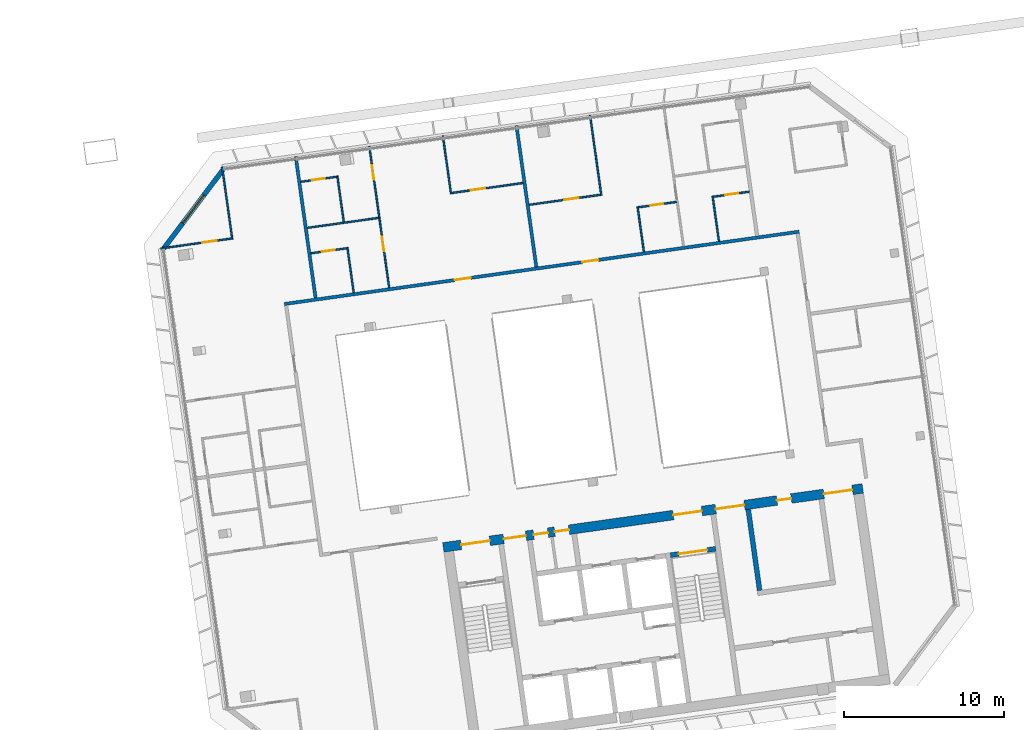
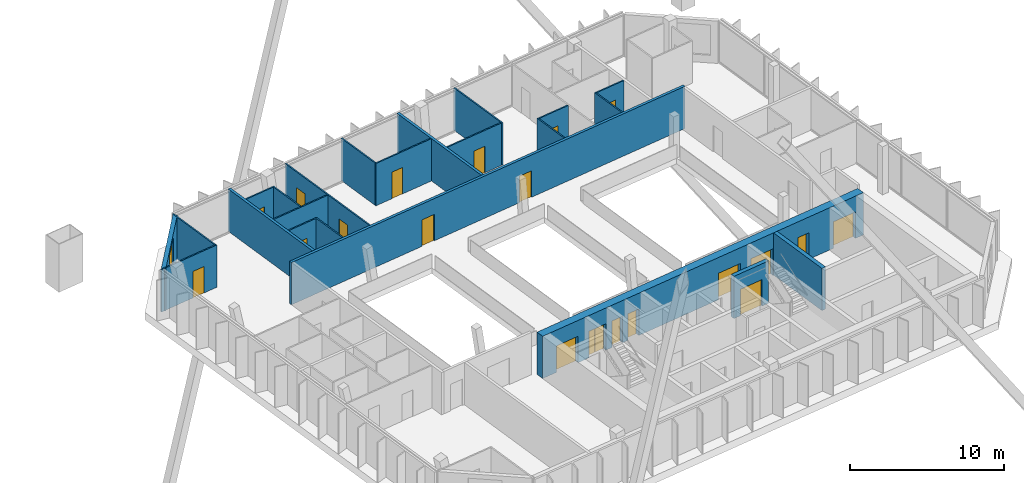
# One storey, part 24 of 28: 23 walls, 20 doors, 1 window, 21 openings.
"""IFC4 building model written with IfcOpenShell, lengths in metres."""

from ifc_helpers import new_model, si_unit, direction, frame, frame_2d, origin, place, context, subcontext, project, spatial, rectangle, extrude, material, layer, layer_set, type_object, element, fill, save


model = new_model("IFC4")

# Units and contexts
model_context = context("Model", 3, precision=1e-05, world=origin(), true_north=direction((0.0, 1.0)))
body_context = subcontext(model_context, "Body", "Model", "MODEL_VIEW")
ifc_project = project(units=[si_unit("LENGTHUNIT", "METRE"), si_unit("AREAUNIT", "SQUARE_METRE"), si_unit("VOLUMEUNIT", "CUBIC_METRE"), si_unit("PLANEANGLEUNIT", "RADIAN"), si_unit("MASSUNIT", "GRAM", prefix="KILO")], contexts=[model_context])

# Site, building, storey
site_placement = place(None, origin())
site = spatial("IfcSite", under=ifc_project, at=site_placement, CompositionType="ELEMENT")
building_placement = place(site_placement, origin())
building = spatial("IfcBuilding", under=site, at=building_placement, Name="Mirante Cascada Hotel Towers", CompositionType="ELEMENT")
storey_placement = place(building_placement, frame((0.0, 0.0, 243.2)))
storey = spatial("IfcBuildingStorey", under=building, at=storey_placement, Name="L58", CompositionType="ELEMENT", Elevation=243.2)

# Wall, openings, doors
ifc_material_1 = material(Name="Fire-rated plasterboard on metal studs")
ifc_layer_1 = layer(ifc_material_1, 0.2)
ifc_layer_set_1 = layer_set([ifc_layer_1], Name="Compartment wall 200 EI 120")
wall_type_1 = type_object("IfcWallType", Name="Compartment wall 200 EI 120", PredefinedType="PARTITIONING", material=ifc_layer_set_1)
wall_1_placement = place(storey_placement, frame((57.8212, 12.0083, 0.0), z_axis=(0.0, 0.0, 1.0), x_axis=(-0.9902681, -0.1391728, 0.0)))
wall_1 = element("IfcWall", 1, at=wall_1_placement, inside=storey, type_object=wall_type_1, Name="Wall 2-L58-14", PredefinedType="PARTITIONING", context=body_context, shape_type="SweptSolid", body=[
    extrude(rectangle(XDim=32.4, YDim=0.2, at=frame_2d((16.2, 0.0))), origin(), (0.0, 0.0, 1.0), 3.35),
])
opening_1_placement = place(wall_1_placement, frame((20.6562, 0.0, 0.0)))
opening_1 = element("IfcOpeningElement", 2, at=opening_1_placement, cuts=wall_1, Name="Opening D2-L58-09", PredefinedType="OPENING", context=body_context, shape_type="SweptSolid", body=[
    extrude(rectangle(XDim=1.0, YDim=2.1, at=frame_2d((0.5, 1.05))), frame((0.0, 0.1, 0.0), z_axis=(0.0, -1.0, 0.0), x_axis=(1.0, 0.0, 0.0)), (0.0, 0.0, 1.0), 0.2),
])
opening_2_placement = place(wall_1_placement, frame((12.64, 0.0, 0.0)))
opening_2 = element("IfcOpeningElement", 3, at=opening_2_placement, cuts=wall_1, Name="Opening D2-L58-10", PredefinedType="OPENING", context=body_context, shape_type="SweptSolid", body=[
    extrude(rectangle(XDim=1.0, YDim=2.1, at=frame_2d((0.5, 1.05))), frame((0.0, 0.1, 0.0), z_axis=(0.0, -1.0, 0.0), x_axis=(1.0, 0.0, 0.0)), (0.0, 0.0, 1.0), 0.2),
])
ifc_material_2 = material(Name="Fire-rated timber door leaf", Category="wood")
door_type_1 = type_object("IfcDoorType", Name="Entrance door DG1 1000x2100 EI 60", OperationType="SINGLE_SWING_LEFT", PredefinedType="DOOR", material=ifc_material_2)
door_1_placement = place(opening_1_placement, frame((1.0, 0.0, 0.0), z_axis=(0.0, 0.0, 1.0), x_axis=(-1.0, 0.0, 0.0)))
door_1 = element("IfcDoor", 4, at=door_1_placement, inside=storey, type_object=door_type_1, Name="Door D2-L58-09", OperationType="SINGLE_SWING_RIGHT", OverallHeight=2.1, OverallWidth=1.0, PredefinedType="DOOR", context=body_context, shape_type="SweptSolid", body=[
    extrude(rectangle(XDim=1.0, YDim=2.1, at=frame_2d((0.5, 1.05))), frame((0.0, 0.025, 0.0), z_axis=(0.0, -1.0, 0.0), x_axis=(1.0, 0.0, 0.0)), (0.0, 0.0, 1.0), 0.05),
])
fill(opening_1, door_1)
door_2_placement = place(opening_2_placement, frame((1.0, 0.0, 0.0), z_axis=(0.0, 0.0, 1.0), x_axis=(-1.0, 0.0, 0.0)))
door_2 = element("IfcDoor", 5, at=door_2_placement, inside=storey, type_object=door_type_1, Name="Door D2-L58-10", OperationType="SINGLE_SWING_RIGHT", OverallHeight=2.1, OverallWidth=1.0, PredefinedType="DOOR", context=body_context, shape_type="SweptSolid", body=[
    extrude(rectangle(XDim=1.0, YDim=2.1, at=frame_2d((0.5, 1.05))), frame((0.0, 0.025, 0.0), z_axis=(0.0, -1.0, 0.0), x_axis=(1.0, 0.0, 0.0)), (0.0, 0.0, 1.0), 0.05),
])
fill(opening_2, door_2)

# Walls
for number, where, z_axis, x_axis, name in (
    (6, (26.4459, 16.6872, 0.0), (0.0, 0.0, 1.0), (0.1391684, -0.9902687, 0.0), "Wall 2-L58-34"),
    (7, (41.4431, 9.8075, 0.0), (0.0, 0.0, 1.0), (-0.1391794, 0.9902672, 0.0), "Wall 2-L58-39"),
):
    element("IfcWall", number, at=place(storey_placement, frame(where, z_axis=z_axis, x_axis=x_axis)), inside=storey, type_object=wall_type_1, Name=name, PredefinedType="PARTITIONING", context=body_context, shape_type="SweptSolid", body=[
        extrude(rectangle(XDim=8.9, YDim=0.2, at=frame_2d((4.45, 0.0))), origin(), (0.0, 0.0, 1.0), 3.35),
    ])

# Wall, opening, door
ifc_material_3 = material(Name="Plasterboard on metal studs")
ifc_layer_2 = layer(ifc_material_3, 0.1)
ifc_layer_set_2 = layer_set([ifc_layer_2], Name="Partition 100")
wall_type_2 = type_object("IfcWallType", Name="Partition 100", PredefinedType="PARTITIONING", material=ifc_layer_set_2)
wall_2_placement = place(storey_placement, frame((27.3938, 10.6605, 0.0), z_axis=(0.0, 0.0, 1.0), x_axis=(0.9902705, 0.1391561, 0.0)))
wall_2 = element("IfcWall", 8, at=wall_2_placement, inside=storey, type_object=wall_type_2, Name="Wall 2-L58-15", PredefinedType="PARTITIONING", context=body_context, shape_type="SweptSolid", body=[
    extrude(rectangle(XDim=2.25, YDim=0.1, at=frame_2d((1.125, 0.0))), origin(), (0.0, 0.0, 1.0), 3.35),
])
opening_3_placement = place(wall_2_placement, frame((0.7, 0.0, 0.0)))
opening_3 = element("IfcOpeningElement", 9, at=opening_3_placement, cuts=wall_2, Name="Opening D2-L58-11", PredefinedType="OPENING", context=body_context, shape_type="SweptSolid", body=[
    extrude(rectangle(XDim=0.8, YDim=2.1, at=frame_2d((0.4, 1.05))), frame((0.0, 0.05, 0.0), z_axis=(0.0, -1.0, 0.0), x_axis=(1.0, 0.0, 0.0)), (0.0, 0.0, 1.0), 0.1),
])
ifc_material_4 = material(Name="Timber door leaf", Category="wood")
door_type_2 = type_object("IfcDoorType", Name="Bathroom door DG4 800x2100", OperationType="SINGLE_SWING_LEFT", PredefinedType="DOOR", material=ifc_material_4)
door_3_placement = place(opening_3_placement, frame((0.8, 0.0, 0.0), z_axis=(0.0, 0.0, 1.0), x_axis=(-1.0, 0.0, 0.0)))
door_3 = element("IfcDoor", 10, at=door_3_placement, inside=storey, type_object=door_type_2, Name="Door D2-L58-11", OperationType="SINGLE_SWING_RIGHT", OverallHeight=2.1, OverallWidth=0.8, PredefinedType="DOOR", context=body_context, shape_type="SweptSolid", body=[
    extrude(rectangle(XDim=0.8, YDim=2.1, at=frame_2d((0.4, 1.05))), frame((0.0, 0.025, 0.0), z_axis=(0.0, -1.0, 0.0), x_axis=(1.0, 0.0, 0.0)), (0.0, 0.0, 1.0), 0.05),
])
fill(opening_3, door_3)

wall_3_placement = place(storey_placement, frame((50.1762, 13.8624, 0.0), z_axis=(0.0, 0.0, 1.0), x_axis=(-0.9902671, -0.1391799, 0.0)))
wall_3 = element("IfcWall", 11, at=wall_3_placement, inside=storey, type_object=wall_type_2, Name="Wall 2-L58-16", PredefinedType="PARTITIONING", context=body_context, shape_type="SweptSolid", body=[
    extrude(rectangle(XDim=2.3926, YDim=0.1, at=frame_2d((1.1963, 0.0))), origin(), (0.0, 0.0, 1.0), 3.35),
])
opening_4_placement = place(wall_3_placement, frame((0.8426, 0.0, 0.0)))
opening_4 = element("IfcOpeningElement", 12, at=opening_4_placement, cuts=wall_3, Name="Opening D2-L58-12", PredefinedType="OPENING", context=body_context, shape_type="SweptSolid", body=[
    extrude(rectangle(XDim=0.8, YDim=2.1, at=frame_2d((0.4, 1.05))), frame((0.0, 0.05, 0.0), z_axis=(0.0, -1.0, 0.0), x_axis=(1.0, 0.0, 0.0)), (0.0, 0.0, 1.0), 0.1),
])
door_4_placement = place(opening_4_placement, frame((0.8, 0.0, 0.0), z_axis=(0.0, 0.0, 1.0), x_axis=(-1.0, 0.0, 0.0)))
door_4 = element("IfcDoor", 13, at=door_4_placement, inside=storey, type_object=door_type_2, Name="Door D2-L58-12", OperationType="SINGLE_SWING_RIGHT", OverallHeight=2.1, OverallWidth=0.8, PredefinedType="DOOR", context=body_context, shape_type="SweptSolid", body=[
    extrude(rectangle(XDim=0.8, YDim=2.1, at=frame_2d((0.4, 1.05))), frame((0.0, 0.025, 0.0), z_axis=(0.0, -1.0, 0.0), x_axis=(1.0, 0.0, 0.0)), (0.0, 0.0, 1.0), 0.05),
])
fill(opening_4, door_4)

wall_4_placement = place(storey_placement, frame((52.4848, 14.1868, 0.0), z_axis=(0.0, 0.0, 1.0), x_axis=(0.9902705, 0.1391561, 0.0)))
wall_4 = element("IfcWall", 14, at=wall_4_placement, inside=storey, type_object=wall_type_2, Name="Wall 2-L58-17", PredefinedType="PARTITIONING", context=body_context, shape_type="SweptSolid", body=[
    extrude(rectangle(XDim=2.25, YDim=0.1, at=frame_2d((1.125, 0.0))), origin(), (0.0, 0.0, 1.0), 3.35),
])
opening_5_placement = place(wall_4_placement, frame((0.75, 0.0, 0.0)))
opening_5 = element("IfcOpeningElement", 15, at=opening_5_placement, cuts=wall_4, Name="Opening D2-L58-13", PredefinedType="OPENING", context=body_context, shape_type="SweptSolid", body=[
    extrude(rectangle(XDim=0.8, YDim=2.1, at=frame_2d((0.4, 1.05))), frame((0.0, 0.05, 0.0), z_axis=(0.0, -1.0, 0.0), x_axis=(1.0, 0.0, 0.0)), (0.0, 0.0, 1.0), 0.1),
])
door_5_placement = place(opening_5_placement, frame((0.8, 0.0, 0.0), z_axis=(0.0, 0.0, 1.0), x_axis=(-1.0, 0.0, 0.0)))
door_5 = element("IfcDoor", 16, at=door_5_placement, inside=storey, type_object=door_type_2, Name="Door D2-L58-13", OperationType="SINGLE_SWING_RIGHT", OverallHeight=2.1, OverallWidth=0.8, PredefinedType="DOOR", context=body_context, shape_type="SweptSolid", body=[
    extrude(rectangle(XDim=0.8, YDim=2.1, at=frame_2d((0.4, 1.05))), frame((0.0, 0.025, 0.0), z_axis=(0.0, -1.0, 0.0), x_axis=(1.0, 0.0, 0.0)), (0.0, 0.0, 1.0), 0.05),
])
fill(opening_5, door_5)

wall_5_placement = place(storey_placement, frame((40.9993, 13.6834, 0.0), z_axis=(0.0, 0.0, 1.0), x_axis=(0.990267, 0.139181, 0.0)))
wall_5 = element("IfcWall", 17, at=wall_5_placement, inside=storey, type_object=wall_type_2, Name="Wall 2-L58-19", PredefinedType="PARTITIONING", context=body_context, shape_type="SweptSolid", body=[
    extrude(rectangle(XDim=4.4812, YDim=0.1, at=frame_2d((2.2406, 0.0))), origin(), (0.0, 0.0, 1.0), 3.35),
])
opening_6_placement = place(wall_5_placement, frame((2.2, 0.0, 0.0)))
opening_6 = element("IfcOpeningElement", 18, at=opening_6_placement, cuts=wall_5, Name="Opening D2-L58-14", PredefinedType="OPENING", context=body_context, shape_type="SweptSolid", body=[
    extrude(rectangle(XDim=0.9, YDim=2.1, at=frame_2d((0.45, 1.05))), frame((0.0, 0.05, 0.0), z_axis=(0.0, -1.0, 0.0), x_axis=(1.0, 0.0, 0.0)), (0.0, 0.0, 1.0), 0.1),
])
ifc_material_5 = material(Name="Timber door leaf", Category="wood")
door_type_3 = type_object("IfcDoorType", Name="Room door DG3 900x2100", OperationType="SINGLE_SWING_LEFT", PredefinedType="DOOR", material=ifc_material_5)
door_6_placement = place(opening_6_placement, origin())
door_6 = element("IfcDoor", 19, at=door_6_placement, inside=storey, type_object=door_type_3, Name="Door D2-L58-14", OperationType="SINGLE_SWING_LEFT", OverallHeight=2.1, OverallWidth=0.9, PredefinedType="DOOR", context=body_context, shape_type="SweptSolid", body=[
    extrude(rectangle(XDim=0.9, YDim=2.1, at=frame_2d((0.45, 1.05))), frame((0.0, 0.025, 0.0), z_axis=(0.0, -1.0, 0.0), x_axis=(1.0, 0.0, 0.0)), (0.0, 0.0, 1.0), 0.05),
])
fill(opening_6, door_6)

wall_6_placement = place(storey_placement, frame((22.5354, 11.5934, 0.0), z_axis=(0.0, 0.0, 1.0), x_axis=(-0.9902691, -0.1391656, 0.0)))
wall_6 = element("IfcWall", 20, at=wall_6_placement, inside=storey, type_object=wall_type_2, Name="Wall 2-L58-20", PredefinedType="PARTITIONING", context=body_context, shape_type="SweptSolid", body=[
    extrude(rectangle(XDim=4.55, YDim=0.1, at=frame_2d((2.275, 0.0))), origin(), (0.0, 0.0, 1.0), 3.35),
])
opening_7_placement = place(wall_6_placement, frame((1.0399, 0.0, 0.0)))
opening_7 = element("IfcOpeningElement", 21, at=opening_7_placement, cuts=wall_6, Name="Opening D2-L58-15", PredefinedType="OPENING", context=body_context, shape_type="SweptSolid", body=[
    extrude(rectangle(XDim=0.9, YDim=2.1, at=frame_2d((0.45, 1.05))), frame((0.0, 0.05, 0.0), z_axis=(0.0, -1.0, 0.0), x_axis=(1.0, 0.0, 0.0)), (0.0, 0.0, 1.0), 0.1),
])
door_7_placement = place(opening_7_placement, origin())
door_7 = element("IfcDoor", 22, at=door_7_placement, inside=storey, type_object=door_type_3, Name="Door D2-L58-15", OperationType="SINGLE_SWING_LEFT", OverallHeight=2.1, OverallWidth=0.9, PredefinedType="DOOR", context=body_context, shape_type="SweptSolid", body=[
    extrude(rectangle(XDim=0.9, YDim=2.1, at=frame_2d((0.45, 1.05))), frame((0.0, 0.025, 0.0), z_axis=(0.0, -1.0, 0.0), x_axis=(1.0, 0.0, 0.0)), (0.0, 0.0, 1.0), 0.05),
])
fill(opening_7, door_7)

# Wall
wall_7_placement = place(storey_placement, frame((27.1712, 12.2449, 0.0), z_axis=(0.0, 0.0, 1.0), x_axis=(0.990267, 0.139181, 0.0)))
element("IfcWall", 23, at=wall_7_placement, inside=storey, type_object=wall_type_2, Name="Wall 2-L58-21", PredefinedType="PARTITIONING", context=body_context, shape_type="SweptSolid", body=[
    extrude(rectangle(XDim=4.4812, YDim=0.1, at=frame_2d((2.2406, 0.0))), origin(), (0.0, 0.0, 1.0), 3.35),
])

# Wall, opening, door
wall_8_placement = place(storey_placement, frame((36.0697, 14.4044, 0.0), z_axis=(0.0, 0.0, 1.0), x_axis=(0.9902678, 0.1391749, 0.0)))
wall_8 = element("IfcWall", 24, at=wall_8_placement, inside=storey, type_object=wall_type_2, Name="Wall 2-L58-23", PredefinedType="PARTITIONING", context=body_context, shape_type="SweptSolid", body=[
    extrude(rectangle(XDim=4.5813, YDim=0.1, at=frame_2d((2.2906, 0.0))), origin(), (0.0, 0.0, 1.0), 3.35),
])
opening_8_placement = place(wall_8_placement, frame((1.3131, 0.0, 0.0)))
opening_8 = element("IfcOpeningElement", 25, at=opening_8_placement, cuts=wall_8, Name="Opening D2-L58-16", PredefinedType="OPENING", context=body_context, shape_type="SweptSolid", body=[
    extrude(rectangle(XDim=0.9, YDim=2.1, at=frame_2d((0.45, 1.05))), frame((0.0, 0.05, 0.0), z_axis=(0.0, -1.0, 0.0), x_axis=(1.0, 0.0, 0.0)), (0.0, 0.0, 1.0), 0.1),
])
door_8_placement = place(opening_8_placement, frame((0.9, 0.0, 0.0), z_axis=(0.0, 0.0, 1.0), x_axis=(-1.0, 0.0, 0.0)))
door_8 = element("IfcDoor", 26, at=door_8_placement, inside=storey, type_object=door_type_3, Name="Door D2-L58-16", OperationType="SINGLE_SWING_RIGHT", OverallHeight=2.1, OverallWidth=0.9, PredefinedType="DOOR", context=body_context, shape_type="SweptSolid", body=[
    extrude(rectangle(XDim=0.9, YDim=2.1, at=frame_2d((0.45, 1.05))), frame((0.0, 0.025, 0.0), z_axis=(0.0, -1.0, 0.0), x_axis=(1.0, 0.0, 0.0)), (0.0, 0.0, 1.0), 0.05),
])
fill(opening_8, door_8)

wall_9_placement = place(storey_placement, frame((26.7676, 15.1167, 0.0), z_axis=(0.0, 0.0, 1.0), x_axis=(0.9902705, 0.1391561, 0.0)))
wall_9 = element("IfcWall", 27, at=wall_9_placement, inside=storey, type_object=wall_type_2, Name="Wall 2-L58-25", PredefinedType="PARTITIONING", context=body_context, shape_type="SweptSolid", body=[
    extrude(rectangle(XDim=2.25, YDim=0.1, at=frame_2d((1.125, 0.0))), origin(), (0.0, 0.0, 1.0), 3.35),
])
opening_9_placement = place(wall_9_placement, frame((0.7, 0.0, 0.0)))
opening_9 = element("IfcOpeningElement", 28, at=opening_9_placement, cuts=wall_9, Name="Opening D2-L58-17", PredefinedType="OPENING", context=body_context, shape_type="SweptSolid", body=[
    extrude(rectangle(XDim=0.8, YDim=2.1, at=frame_2d((0.4, 1.05))), frame((0.0, 0.05, 0.0), z_axis=(0.0, -1.0, 0.0), x_axis=(1.0, 0.0, 0.0)), (0.0, 0.0, 1.0), 0.1),
])
door_9_placement = place(opening_9_placement, frame((0.8, 0.0, 0.0), z_axis=(0.0, 0.0, 1.0), x_axis=(-1.0, 0.0, 0.0)))
door_9 = element("IfcDoor", 29, at=door_9_placement, inside=storey, type_object=door_type_2, Name="Door D2-L58-17", OperationType="SINGLE_SWING_RIGHT", OverallHeight=2.1, OverallWidth=0.8, PredefinedType="DOOR", context=body_context, shape_type="SweptSolid", body=[
    extrude(rectangle(XDim=0.8, YDim=2.1, at=frame_2d((0.4, 1.05))), frame((0.0, 0.025, 0.0), z_axis=(0.0, -1.0, 0.0), x_axis=(1.0, 0.0, 0.0)), (0.0, 0.0, 1.0), 0.05),
])
fill(opening_9, door_9)

# Walls
wall_10_placement = place(storey_placement, frame((22.4789, 11.636, 0.0), z_axis=(0.0, 0.0, 1.0), x_axis=(-0.1391684, 0.9902687, 0.0)))
element("IfcWall", 30, at=wall_10_placement, inside=storey, type_object=wall_type_2, Name="Wall 2-L58-31", PredefinedType="PARTITIONING", context=body_context, shape_type="SweptSolid", body=[
    extrude(rectangle(XDim=4.45, YDim=0.1, at=frame_2d((2.225, 0.0))), origin(), (0.0, 0.0, 1.0), 3.35),
])
wall_11_placement = place(storey_placement, frame((30.0611, 8.2079, 0.0), z_axis=(0.0, 0.0, 1.0), x_axis=(-0.1391613, 0.9902697, 0.0)))
element("IfcWall", 31, at=wall_11_placement, inside=storey, type_object=wall_type_2, Name="Wall 2-L58-35", PredefinedType="PARTITIONING", context=body_context, shape_type="SweptSolid", body=[
    extrude(rectangle(XDim=2.8499, YDim=0.1, at=frame_2d((1.425, 0.0))), origin(), (0.0, 0.0, 1.0), 3.35),
])
wall_12_placement = place(storey_placement, frame((29.0382, 15.4863, 0.0), z_axis=(0.0, 0.0, 1.0), x_axis=(0.1391714, -0.9902683, 0.0)))
element("IfcWall", 32, at=wall_12_placement, inside=storey, type_object=wall_type_2, Name="Wall 2-L58-36", PredefinedType="PARTITIONING", context=body_context, shape_type="SweptSolid", body=[
    extrude(rectangle(XDim=2.9, YDim=0.1, at=frame_2d((1.45, 0.0))), origin(), (0.0, 0.0, 1.0), 3.35),
])

# Wall, openings, doors
wall_13_placement = place(storey_placement, frame((32.2707, 8.5184, 0.0), z_axis=(0.0, 0.0, 1.0), x_axis=(-0.1391684, 0.9902687, 0.0)))
wall_13 = element("IfcWall", 33, at=wall_13_placement, inside=storey, type_object=wall_type_2, Name="Wall 2-L58-37", PredefinedType="PARTITIONING", context=body_context, shape_type="SweptSolid", body=[
    extrude(rectangle(XDim=8.9, YDim=0.1, at=frame_2d((4.45, 0.0))), origin(), (0.0, 0.0, 1.0), 3.35),
])
opening_10_placement = place(wall_13_placement, frame((2.3, 0.0, 0.0)))
opening_10 = element("IfcOpeningElement", 34, at=opening_10_placement, cuts=wall_13, Name="Opening D2-L58-24", PredefinedType="OPENING", context=body_context, shape_type="SweptSolid", body=[
    extrude(rectangle(XDim=0.9, YDim=2.1, at=frame_2d((0.45, 1.05))), frame((0.0, 0.05, 0.0), z_axis=(0.0, -1.0, 0.0), x_axis=(1.0, 0.0, 0.0)), (0.0, 0.0, 1.0), 0.1),
])
opening_11_placement = place(wall_13_placement, frame((6.8, 0.0, 0.0)))
opening_11 = element("IfcOpeningElement", 35, at=opening_11_placement, cuts=wall_13, Name="Opening D2-L58-25", PredefinedType="OPENING", context=body_context, shape_type="SweptSolid", body=[
    extrude(rectangle(XDim=0.9, YDim=2.1, at=frame_2d((0.45, 1.05))), frame((0.0, 0.05, 0.0), z_axis=(0.0, -1.0, 0.0), x_axis=(1.0, 0.0, 0.0)), (0.0, 0.0, 1.0), 0.1),
])
door_10_placement = place(opening_10_placement, frame((0.9, 0.0, 0.0), z_axis=(0.0, 0.0, 1.0), x_axis=(-1.0, 0.0, 0.0)))
door_10 = element("IfcDoor", 36, at=door_10_placement, inside=storey, type_object=door_type_3, Name="Door D2-L58-24", OperationType="SINGLE_SWING_RIGHT", OverallHeight=2.1, OverallWidth=0.9, PredefinedType="DOOR", context=body_context, shape_type="SweptSolid", body=[
    extrude(rectangle(XDim=0.9, YDim=2.1, at=frame_2d((0.45, 1.05))), frame((0.0, 0.025, 0.0), z_axis=(0.0, -1.0, 0.0), x_axis=(1.0, 0.0, 0.0)), (0.0, 0.0, 1.0), 0.05),
])
fill(opening_10, door_10)
door_11_placement = place(opening_11_placement, frame((0.9, 0.0, 0.0), z_axis=(0.0, 0.0, 1.0), x_axis=(-1.0, 0.0, 0.0)))
door_11 = element("IfcDoor", 37, at=door_11_placement, inside=storey, type_object=door_type_3, Name="Door D2-L58-25", OperationType="SINGLE_SWING_RIGHT", OverallHeight=2.1, OverallWidth=0.9, PredefinedType="DOOR", context=body_context, shape_type="SweptSolid", body=[
    extrude(rectangle(XDim=0.9, YDim=2.1, at=frame_2d((0.45, 1.05))), frame((0.0, 0.025, 0.0), z_axis=(0.0, -1.0, 0.0), x_axis=(1.0, 0.0, 0.0)), (0.0, 0.0, 1.0), 0.05),
])
fill(opening_11, door_11)

# Walls
wall_14_placement = place(storey_placement, frame((35.6182, 17.9763, 0.0), z_axis=(0.0, 0.0, 1.0), x_axis=(0.1391849, -0.9902664, 0.0)))
element("IfcWall", 38, at=wall_14_placement, inside=storey, type_object=wall_type_2, Name="Wall 2-L58-38", PredefinedType="PARTITIONING", context=body_context, shape_type="SweptSolid", body=[
    extrude(rectangle(XDim=3.55, YDim=0.1, at=frame_2d((1.775, 0.0))), origin(), (0.0, 0.0, 1.0), 3.35),
])
wall_15_placement = place(storey_placement, frame((44.7906, 19.2654, 0.0), z_axis=(0.0, 0.0, 1.0), x_axis=(0.1391671, -0.9902689, 0.0)))
element("IfcWall", 39, at=wall_15_placement, inside=storey, type_object=wall_type_2, Name="Wall 2-L58-40", PredefinedType="PARTITIONING", context=body_context, shape_type="SweptSolid", body=[
    extrude(rectangle(XDim=5.05, YDim=0.1, at=frame_2d((2.525, 0.0))), origin(), (0.0, 0.0, 1.0), 3.35),
])
wall_16_placement = place(storey_placement, frame((48.1471, 10.7497, 0.0), z_axis=(0.0, 0.0, 1.0), x_axis=(-0.1391613, 0.9902697, 0.0)))
element("IfcWall", 40, at=wall_16_placement, inside=storey, type_object=wall_type_2, Name="Wall 2-L58-41", PredefinedType="PARTITIONING", context=body_context, shape_type="SweptSolid", body=[
    extrude(rectangle(XDim=2.8499, YDim=0.1, at=frame_2d((1.425, 0.0))), origin(), (0.0, 0.0, 1.0), 3.35),
])
wall_17_placement = place(storey_placement, frame((52.8249, 11.4071, 0.0), z_axis=(0.0, 0.0, 1.0), x_axis=(-0.1391564, 0.9902704, 0.0)))
element("IfcWall", 41, at=wall_17_placement, inside=storey, type_object=wall_type_2, Name="Wall 2-L58-43", PredefinedType="PARTITIONING", context=body_context, shape_type="SweptSolid", body=[
    extrude(rectangle(XDim=2.85, YDim=0.1, at=frame_2d((1.425, 0.0))), origin(), (0.0, 0.0, 1.0), 3.35),
])

# Wall, opening, window
ifc_material_6 = material(Name="Precast concrete C40/50", Category="concrete")
ifc_layer_3 = layer(ifc_material_6, 0.3)
ifc_layer_set_3 = layer_set([ifc_layer_3], Name="Precast concrete C40/50 cladding wall 300")
wall_type_3 = type_object("IfcWallType", Name="Precast concrete C40/50 cladding wall 300", PredefinedType="STANDARD", material=ifc_layer_set_3)
wall_18_placement = place(storey_placement, frame((21.9048, 15.8533, 0.0), z_axis=(0.0, 0.0, 1.0), x_axis=(-0.6018245, -0.7986283, 0.0)))
wall_18 = element("IfcWall", 42, at=wall_18_placement, inside=storey, type_object=wall_type_3, Name="Corner cladding wall T2 L58 front inner", PredefinedType="STANDARD", context=body_context, shape_type="SweptSolid", body=[
    extrude(rectangle(XDim=6.1157, YDim=0.3, at=frame_2d((3.0578, 0.0))), origin(), (0.0, 0.0, 1.0), 3.35),
])
opening_12_placement = place(wall_18_placement, frame((1.9578, 0.0, 0.6)))
opening_12 = element("IfcOpeningElement", 43, at=opening_12_placement, cuts=wall_18, Name="Opening W2-58-05", PredefinedType="OPENING", context=body_context, shape_type="SweptSolid", body=[
    extrude(rectangle(XDim=2.2, YDim=2.4, at=frame_2d((1.1, 1.2))), frame((0.0, 0.15, 0.0), z_axis=(0.0, -1.0, 0.0), x_axis=(1.0, 0.0, 0.0)), (0.0, 0.0, 1.0), 0.3),
])
ifc_material_7 = material(Name="Aluminium frame with clear double glazing", Category="aluminium")
window_type = type_object("IfcWindowType", Name="Corner suite window 2200x2400", PartitioningType="DOUBLE_PANEL_VERTICAL", PredefinedType="WINDOW", material=ifc_material_7)
window_placement = place(opening_12_placement, origin())
window = element("IfcWindow", 44, at=window_placement, inside=storey, type_object=window_type, Name="Window W2-58-05", OverallHeight=2.4, OverallWidth=2.2, PartitioningType="SINGLE_PANEL", PredefinedType="WINDOW", context=body_context, shape_type="SweptSolid", body=[
    extrude(rectangle(XDim=2.2, YDim=2.4, at=frame_2d((1.1, 1.2))), frame((0.0, 0.03, 0.0), z_axis=(0.0, -1.0, 0.0), x_axis=(1.0, 0.0, 0.0)), (0.0, 0.0, 1.0), 0.06),
])
fill(opening_12, window)

# Wall, opening, door
ifc_material_8 = material(Name="Concrete C50/60", Category="concrete")
ifc_layer_4 = layer(ifc_material_8, 0.3)
ifc_layer_set_4 = layer_set([ifc_layer_4], Name="RC core wall 300 C50/60")
wall_type_4 = type_object("IfcWallType", Name="RC core wall 300 C50/60", PredefinedType="SHEAR", material=ifc_layer_set_4)
wall_19_placement = place(storey_placement, frame((49.7992, -8.1544, 0.0), z_axis=(0.0, 0.0, 1.0), x_axis=(0.9902656, 0.1391909, 0.0)))
wall_19 = element("IfcWall", 45, at=wall_19_placement, inside=storey, type_object=wall_type_4, Name="Core wall T2:L58:9", PredefinedType="SHEAR", context=body_context, shape_type="SweptSolid", body=[
    extrude(rectangle(XDim=2.85, YDim=0.3, at=frame_2d((1.425, 0.0))), origin(), (0.0, 0.0, 1.0), 3.35),
])
opening_13_placement = place(wall_19_placement, frame((0.525, 0.0, 0.0)))
opening_13 = element("IfcOpeningElement", 46, at=opening_13_placement, cuts=wall_19, Name="Opening D2-58-C09", PredefinedType="OPENING", context=body_context, shape_type="SweptSolid", body=[
    extrude(rectangle(XDim=1.8, YDim=2.1, at=frame_2d((0.9, 1.05))), frame((0.0, 0.15, 0.0), z_axis=(0.0, -1.0, 0.0), x_axis=(1.0, 0.0, 0.0)), (0.0, 0.0, 1.0), 0.3),
])
ifc_material_9 = material(Name="Hollow metal fire door leaf")
door_type_4 = type_object("IfcDoorType", Name="Double fire door 1800x2100 FD60", OperationType="DOUBLE_DOOR_SINGLE_SWING", PredefinedType="DOOR", material=ifc_material_9)
door_12_placement = place(opening_13_placement, frame((1.8, 0.0, 0.0), z_axis=(0.0, 0.0, 1.0), x_axis=(-1.0, 0.0, 0.0)))
door_12 = element("IfcDoor", 47, at=door_12_placement, inside=storey, type_object=door_type_4, Name="Stair door T2 L58 9", OperationType="DOUBLE_DOOR_SINGLE_SWING", OverallHeight=2.1, OverallWidth=1.8, PredefinedType="DOOR", context=body_context, shape_type="SweptSolid", body=[
    extrude(rectangle(XDim=0.895, YDim=2.1, at=frame_2d((0.4475, 1.05))), frame((0.0, 0.025, 0.0), z_axis=(0.0, -1.0, 0.0), x_axis=(1.0, 0.0, 0.0)), (0.0, 0.0, 1.0), 0.05),
    extrude(rectangle(XDim=0.895, YDim=2.1, at=frame_2d((1.3525, 1.05))), frame((0.0, 0.025, 0.0), z_axis=(0.0, -1.0, 0.0), x_axis=(1.0, 0.0, 0.0)), (0.0, 0.0, 1.0), 0.05),
])
fill(opening_13, door_12)

# Wall
wall_20_placement = place(storey_placement, frame((55.3592, -10.352, 0.0), z_axis=(0.0, 0.0, 1.0), x_axis=(-0.1391755, 0.9902677, 0.0)))
element("IfcWall", 48, at=wall_20_placement, inside=storey, type_object=wall_type_4, Name="Core wall T2:L58:26", PredefinedType="SHEAR", context=body_context, shape_type="SweptSolid", body=[
    extrude(rectangle(XDim=5.1, YDim=0.3, at=frame_2d((2.55, 0.0))), origin(), (0.0, 0.0, 1.0), 3.35),
])

# Wall, openings, doors
ifc_material_10 = material(Name="Concrete C50/60", Category="concrete")
ifc_layer_5 = layer(ifc_material_10, 0.6)
ifc_layer_set_5 = layer_set([ifc_layer_5], Name="RC core wall 600 C50/60")
wall_type_5 = type_object("IfcWallType", Name="RC core wall 600 C50/60", PredefinedType="SHEAR", material=ifc_layer_set_5)
wall_21_placement = place(storey_placement, frame((35.644, -7.6697, 0.0), z_axis=(0.0, 0.0, 1.0), x_axis=(0.9902679, 0.1391741, 0.0)))
wall_21 = element("IfcWall", 49, at=wall_21_placement, inside=storey, type_object=wall_type_5, Name="Core wall T2:L58:2", PredefinedType="SHEAR", context=body_context, shape_type="SweptSolid", body=[
    extrude(rectangle(XDim=26.4, YDim=0.6, at=frame_2d((13.2, 0.0))), origin(), (0.0, 0.0, 1.0), 3.35),
])
opening_14_placement = place(wall_21_placement, frame((1.125, 0.0, 0.0)))
opening_14 = element("IfcOpeningElement", 50, at=opening_14_placement, cuts=wall_21, Name="Opening D2-58-C08", PredefinedType="OPENING", context=body_context, shape_type="SweptSolid", body=[
    extrude(rectangle(XDim=1.8, YDim=2.1, at=frame_2d((0.9, 1.05))), frame((0.0, 0.3, 0.0), z_axis=(0.0, -1.0, 0.0), x_axis=(1.0, 0.0, 0.0)), (0.0, 0.0, 1.0), 0.6),
])
opening_15_placement = place(wall_21_placement, frame((14.475, 0.0, 0.0)))
opening_15 = element("IfcOpeningElement", 51, at=opening_15_placement, cuts=wall_21, Name="Opening D2-58-C10", PredefinedType="OPENING", context=body_context, shape_type="SweptSolid", body=[
    extrude(rectangle(XDim=1.8, YDim=2.1, at=frame_2d((0.9, 1.05))), frame((0.0, 0.3, 0.0), z_axis=(0.0, -1.0, 0.0), x_axis=(1.0, 0.0, 0.0)), (0.0, 0.0, 1.0), 0.6),
])
opening_16_placement = place(wall_21_placement, frame((3.8, 0.0, 0.0)))
opening_16 = element("IfcOpeningElement", 52, at=opening_16_placement, cuts=wall_21, Name="Opening D2-58-C11", PredefinedType="OPENING", context=body_context, shape_type="SweptSolid", body=[
    extrude(rectangle(XDim=1.4, YDim=2.1, at=frame_2d((0.7, 1.05))), frame((0.0, 0.3, 0.0), z_axis=(0.0, -1.0, 0.0), x_axis=(1.0, 0.0, 0.0)), (0.0, 0.0, 1.0), 0.6),
])
opening_17_placement = place(wall_21_placement, frame((17.15, 0.0, 0.0)))
opening_17 = element("IfcOpeningElement", 53, at=opening_17_placement, cuts=wall_21, Name="Opening D2-58-C12", PredefinedType="OPENING", context=body_context, shape_type="SweptSolid", body=[
    extrude(rectangle(XDim=1.8, YDim=2.1, at=frame_2d((0.9, 1.05))), frame((0.0, 0.3, 0.0), z_axis=(0.0, -1.0, 0.0), x_axis=(1.0, 0.0, 0.0)), (0.0, 0.0, 1.0), 0.6),
])
opening_18_placement = place(wall_21_placement, frame((23.95, 0.0, 0.0)))
opening_18 = element("IfcOpeningElement", 54, at=opening_18_placement, cuts=wall_21, Name="Opening D2-58-C13", PredefinedType="OPENING", context=body_context, shape_type="SweptSolid", body=[
    extrude(rectangle(XDim=1.8, YDim=2.1, at=frame_2d((0.9, 1.05))), frame((0.0, 0.3, 0.0), z_axis=(0.0, -1.0, 0.0), x_axis=(1.0, 0.0, 0.0)), (0.0, 0.0, 1.0), 0.6),
])
opening_19_placement = place(wall_21_placement, frame((5.6875, 0.0, 0.0)))
opening_19 = element("IfcOpeningElement", 55, at=opening_19_placement, cuts=wall_21, Name="Opening D2-58-C16", PredefinedType="OPENING", context=body_context, shape_type="SweptSolid", body=[
    extrude(rectangle(XDim=0.9, YDim=2.1, at=frame_2d((0.45, 1.05))), frame((0.0, 0.3, 0.0), z_axis=(0.0, -1.0, 0.0), x_axis=(1.0, 0.0, 0.0)), (0.0, 0.0, 1.0), 0.6),
])
opening_20_placement = place(wall_21_placement, frame((7.0125, 0.0, 0.0)))
opening_20 = element("IfcOpeningElement", 56, at=opening_20_placement, cuts=wall_21, Name="Opening D2-58-C17", PredefinedType="OPENING", context=body_context, shape_type="SweptSolid", body=[
    extrude(rectangle(XDim=0.9, YDim=2.1, at=frame_2d((0.45, 1.05))), frame((0.0, 0.3, 0.0), z_axis=(0.0, -1.0, 0.0), x_axis=(1.0, 0.0, 0.0)), (0.0, 0.0, 1.0), 0.6),
])
opening_21_placement = place(wall_21_placement, frame((21.0, 0.0, 0.0)))
opening_21 = element("IfcOpeningElement", 57, at=opening_21_placement, cuts=wall_21, Name="Opening D2-58-C20", PredefinedType="OPENING", context=body_context, shape_type="SweptSolid", body=[
    extrude(rectangle(XDim=0.9, YDim=2.1, at=frame_2d((0.45, 1.05))), frame((0.0, 0.3, 0.0), z_axis=(0.0, -1.0, 0.0), x_axis=(1.0, 0.0, 0.0)), (0.0, 0.0, 1.0), 0.6),
])
ifc_material_11 = material(Name="Hollow metal fire door leaf")
door_type_5 = type_object("IfcDoorType", Name="Double fire door 1400x2100 FD60", OperationType="DOUBLE_DOOR_SINGLE_SWING", PredefinedType="DOOR", material=ifc_material_11)
door_13_placement = place(opening_16_placement, origin())
door_13 = element("IfcDoor", 58, at=door_13_placement, inside=storey, type_object=door_type_5, Name="Exit door to gallery T2 L58 11", OperationType="DOUBLE_DOOR_SINGLE_SWING", OverallHeight=2.1, OverallWidth=1.4, PredefinedType="DOOR", context=body_context, shape_type="SweptSolid", body=[
    extrude(rectangle(XDim=0.695, YDim=2.1, at=frame_2d((0.3475, 1.05))), frame((0.0, 0.025, 0.0), z_axis=(0.0, -1.0, 0.0), x_axis=(1.0, 0.0, 0.0)), (0.0, 0.0, 1.0), 0.05),
    extrude(rectangle(XDim=0.695, YDim=2.1, at=frame_2d((1.0525, 1.05))), frame((0.0, 0.025, 0.0), z_axis=(0.0, -1.0, 0.0), x_axis=(1.0, 0.0, 0.0)), (0.0, 0.0, 1.0), 0.05),
])
fill(opening_16, door_13)
door_14_placement = place(opening_14_placement, frame((1.8, 0.0, 0.0), z_axis=(0.0, 0.0, 1.0), x_axis=(-1.0, 0.0, 0.0)))
door_14 = element("IfcDoor", 59, at=door_14_placement, inside=storey, type_object=door_type_4, Name="Exit door to gallery T2 L58 8", OperationType="DOUBLE_DOOR_SINGLE_SWING", OverallHeight=2.1, OverallWidth=1.8, PredefinedType="DOOR", context=body_context, shape_type="SweptSolid", body=[
    extrude(rectangle(XDim=0.895, YDim=2.1, at=frame_2d((0.4475, 1.05))), frame((0.0, 0.025, 0.0), z_axis=(0.0, -1.0, 0.0), x_axis=(1.0, 0.0, 0.0)), (0.0, 0.0, 1.0), 0.05),
    extrude(rectangle(XDim=0.895, YDim=2.1, at=frame_2d((1.3525, 1.05))), frame((0.0, 0.025, 0.0), z_axis=(0.0, -1.0, 0.0), x_axis=(1.0, 0.0, 0.0)), (0.0, 0.0, 1.0), 0.05),
])
fill(opening_14, door_14)
door_15_placement = place(opening_15_placement, frame((1.8, 0.0, 0.0), z_axis=(0.0, 0.0, 1.0), x_axis=(-1.0, 0.0, 0.0)))
door_15 = element("IfcDoor", 60, at=door_15_placement, inside=storey, type_object=door_type_4, Name="Exit door to gallery T2 L58 10", OperationType="DOUBLE_DOOR_SINGLE_SWING", OverallHeight=2.1, OverallWidth=1.8, PredefinedType="DOOR", context=body_context, shape_type="SweptSolid", body=[
    extrude(rectangle(XDim=0.895, YDim=2.1, at=frame_2d((0.4475, 1.05))), frame((0.0, 0.025, 0.0), z_axis=(0.0, -1.0, 0.0), x_axis=(1.0, 0.0, 0.0)), (0.0, 0.0, 1.0), 0.05),
    extrude(rectangle(XDim=0.895, YDim=2.1, at=frame_2d((1.3525, 1.05))), frame((0.0, 0.025, 0.0), z_axis=(0.0, -1.0, 0.0), x_axis=(1.0, 0.0, 0.0)), (0.0, 0.0, 1.0), 0.05),
])
fill(opening_15, door_15)
door_16_placement = place(opening_17_placement, origin())
door_16 = element("IfcDoor", 61, at=door_16_placement, inside=storey, type_object=door_type_4, Name="Exit door to gallery T2 L58 12", OperationType="DOUBLE_DOOR_SINGLE_SWING", OverallHeight=2.1, OverallWidth=1.8, PredefinedType="DOOR", context=body_context, shape_type="SweptSolid", body=[
    extrude(rectangle(XDim=0.895, YDim=2.1, at=frame_2d((0.4475, 1.05))), frame((0.0, 0.025, 0.0), z_axis=(0.0, -1.0, 0.0), x_axis=(1.0, 0.0, 0.0)), (0.0, 0.0, 1.0), 0.05),
    extrude(rectangle(XDim=0.895, YDim=2.1, at=frame_2d((1.3525, 1.05))), frame((0.0, 0.025, 0.0), z_axis=(0.0, -1.0, 0.0), x_axis=(1.0, 0.0, 0.0)), (0.0, 0.0, 1.0), 0.05),
])
fill(opening_17, door_16)
door_17_placement = place(opening_18_placement, origin())
door_17 = element("IfcDoor", 62, at=door_17_placement, inside=storey, type_object=door_type_4, Name="Exit door to gallery T2 L58 13", OperationType="DOUBLE_DOOR_SINGLE_SWING", OverallHeight=2.1, OverallWidth=1.8, PredefinedType="DOOR", context=body_context, shape_type="SweptSolid", body=[
    extrude(rectangle(XDim=0.895, YDim=2.1, at=frame_2d((0.4475, 1.05))), frame((0.0, 0.025, 0.0), z_axis=(0.0, -1.0, 0.0), x_axis=(1.0, 0.0, 0.0)), (0.0, 0.0, 1.0), 0.05),
    extrude(rectangle(XDim=0.895, YDim=2.1, at=frame_2d((1.3525, 1.05))), frame((0.0, 0.025, 0.0), z_axis=(0.0, -1.0, 0.0), x_axis=(1.0, 0.0, 0.0)), (0.0, 0.0, 1.0), 0.05),
])
fill(opening_18, door_17)
ifc_material_12 = material(Name="Hollow metal fire door leaf")
door_type_6 = type_object("IfcDoorType", Name="Fire door 900x2100 FD60", OperationType="NOTDEFINED", PredefinedType="DOOR", material=ifc_material_12)
door_18_placement = place(opening_19_placement, frame((0.9, 0.0, 0.0), z_axis=(0.0, 0.0, 1.0), x_axis=(-1.0, 0.0, 0.0)))
door_18 = element("IfcDoor", 63, at=door_18_placement, inside=storey, type_object=door_type_6, Name="Room door T2 L58 16", OperationType="SINGLE_SWING_LEFT", OverallHeight=2.1, OverallWidth=0.9, PredefinedType="DOOR", context=body_context, shape_type="SweptSolid", body=[
    extrude(rectangle(XDim=0.9, YDim=2.1, at=frame_2d((0.45, 1.05))), frame((0.0, 0.025, 0.0), z_axis=(0.0, -1.0, 0.0), x_axis=(1.0, 0.0, 0.0)), (0.0, 0.0, 1.0), 0.05),
])
fill(opening_19, door_18)
door_19_placement = place(opening_20_placement, frame((0.9, 0.0, 0.0), z_axis=(0.0, 0.0, 1.0), x_axis=(-1.0, 0.0, 0.0)))
door_19 = element("IfcDoor", 64, at=door_19_placement, inside=storey, type_object=door_type_6, Name="Room door T2 L58 17", OperationType="SINGLE_SWING_LEFT", OverallHeight=2.1, OverallWidth=0.9, PredefinedType="DOOR", context=body_context, shape_type="SweptSolid", body=[
    extrude(rectangle(XDim=0.9, YDim=2.1, at=frame_2d((0.45, 1.05))), frame((0.0, 0.025, 0.0), z_axis=(0.0, -1.0, 0.0), x_axis=(1.0, 0.0, 0.0)), (0.0, 0.0, 1.0), 0.05),
])
fill(opening_20, door_19)
door_20_placement = place(opening_21_placement, frame((0.9, 0.0, 0.0), z_axis=(0.0, 0.0, 1.0), x_axis=(-1.0, 0.0, 0.0)))
door_20 = element("IfcDoor", 65, at=door_20_placement, inside=storey, type_object=door_type_6, Name="Room door T2 L58 20", OperationType="SINGLE_SWING_RIGHT", OverallHeight=2.1, OverallWidth=0.9, PredefinedType="DOOR", context=body_context, shape_type="SweptSolid", body=[
    extrude(rectangle(XDim=0.9, YDim=2.1, at=frame_2d((0.45, 1.05))), frame((0.0, 0.025, 0.0), z_axis=(0.0, -1.0, 0.0), x_axis=(1.0, 0.0, 0.0)), (0.0, 0.0, 1.0), 0.05),
])
fill(opening_21, door_20)

save(model, "model.ifc")
